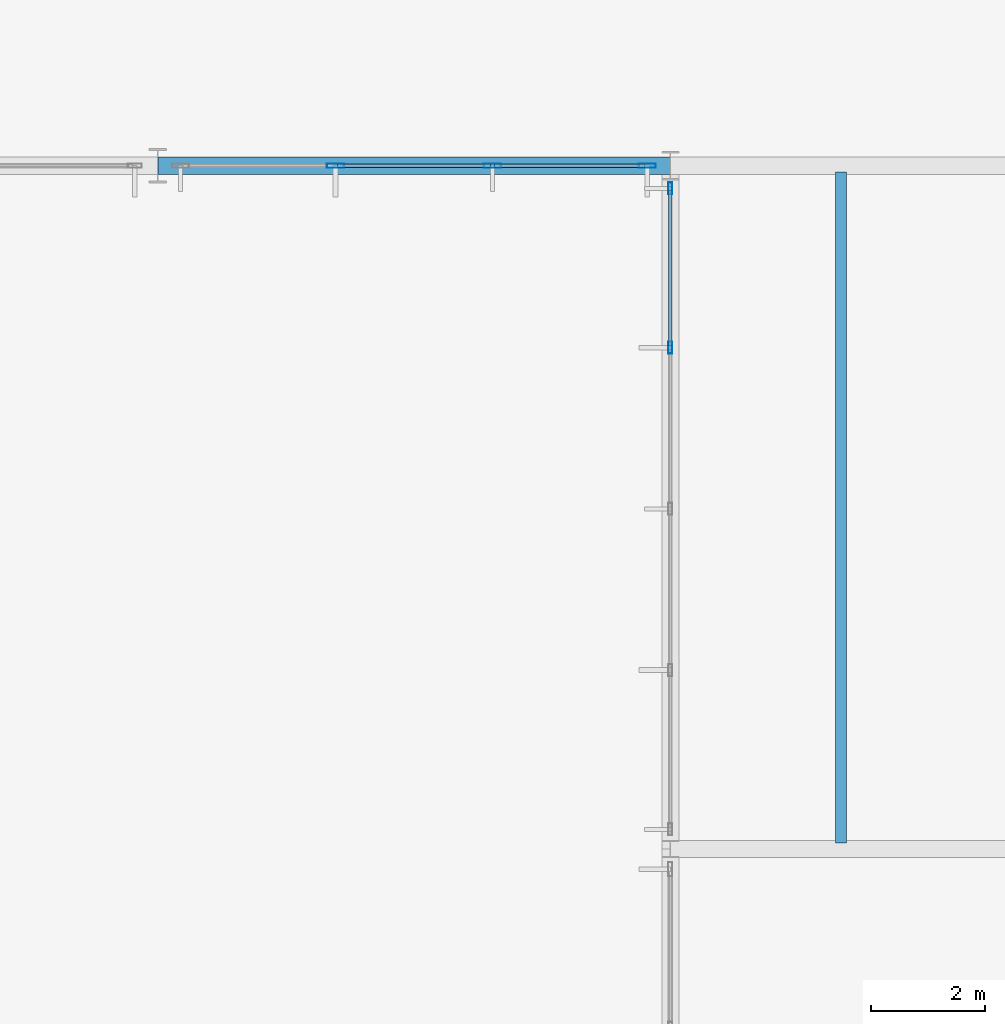
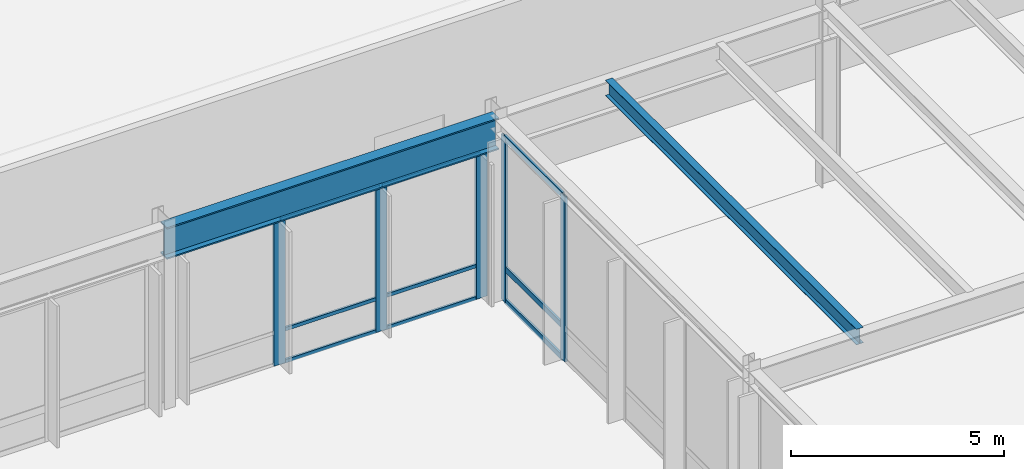
# One storey, part 60 of 143: 14 members, 2 beams, 2 elements without a shape of their own.
"""IFC4 building model written with IfcOpenShell, lengths in metres."""

from ifc_helpers import new_model, si_unit, direction, frame, origin, origin_2d, place, context, subcontext, project, spatial, hollow_rectangle, i_section, extrude, material, layer, layer_set, material_profile, profile_set, type_object, element, aggregate, save


model = new_model("IFC4")

# Units and contexts
model_context = context("Model", 3, precision=1e-05, world=origin(), true_north=direction((0.0, 1.0)))
body_context = subcontext(model_context, "Body", "Model", "MODEL_VIEW")
ifc_project = project(units=[si_unit("LENGTHUNIT", "METRE"), si_unit("AREAUNIT", "SQUARE_METRE"), si_unit("VOLUMEUNIT", "CUBIC_METRE"), si_unit("PLANEANGLEUNIT", "RADIAN"), si_unit("MASSUNIT", "GRAM", prefix="KILO")], contexts=[model_context])

# Site, building, storey
site_placement = place(None, origin())
site = spatial("IfcSite", under=ifc_project, at=site_placement, CompositionType="ELEMENT")
building_placement = place(site_placement, origin())
building = spatial("IfcBuilding", under=site, at=building_placement, Name="Montelvaro Courts of Justice", CompositionType="ELEMENT")
storey_placement = place(building_placement, origin())
storey = spatial("IfcBuildingStorey", under=building, at=storey_placement, Name="L00", CompositionType="ELEMENT", Elevation=0.0)

# Beams
ifc_material_1 = material(Name="Steel S355", Category="steel")
ifc_material_profile_1 = material_profile(ifc_material_1, i_section(OverallWidth=0.302001953125, OverallDepth=0.909912109375, WebThickness=0.02099609375, FlangeThickness=0.0400390625, at=origin_2d()), Name="HEM 900")
ifc_profile_set_1 = profile_set([ifc_material_profile_1], Name="Steel S355")
beam_type_1 = type_object("IfcBeamType", Name="Beam_HEM900", PredefinedType="USERDEFINED", material=ifc_profile_set_1)
beam_1_placement = place(storey_placement, frame((45.0, 78.0, 4.625), z_axis=(1.0, 0.0, 0.0), x_axis=(0.0, 1.0, 0.0)))
element("IfcBeam", 1, at=beam_1_placement, inside=storey, type_object=beam_type_1, Name="Beam B-31 L00", ObjectType="GIRDER", PredefinedType="USERDEFINED", context=body_context, shape_type="SweptSolid", body=[
    extrude(i_section(OverallWidth=0.302001953125, OverallDepth=0.909912109375, WebThickness=0.02099609375, FlangeThickness=0.0400390625, at=origin_2d()), origin(), (0.0, 0.0, 1.0), 9.0),
])
ifc_material_profile_2 = material_profile(ifc_material_1, i_section(OverallWidth=0.18994140625, OverallDepth=0.449951171875, WebThickness=0.009521484375, FlangeThickness=0.0146484375, at=origin_2d()), Name="IPE 450")
ifc_profile_set_2 = profile_set([ifc_material_profile_2], Name="Steel S355")
beam_type_2 = type_object("IfcBeamType", Name="Beam_IPE450", PredefinedType="BEAM", material=ifc_profile_set_2)
beam_2_placement = place(storey_placement, frame((57.0, 66.110107421875, 4.89501953125), z_axis=(0.0, 1.0, 0.0), x_axis=(-1.0, 0.0, 0.0)))
element("IfcBeam", 2, at=beam_2_placement, inside=storey, type_object=beam_type_2, Name="Beam B-09 L00", PredefinedType="BEAM", context=body_context, shape_type="SweptSolid", body=[
    extrude(i_section(OverallWidth=0.18994140625, OverallDepth=0.449951171875, WebThickness=0.009521484375, FlangeThickness=0.0146484375, at=origin_2d()), origin(), (0.0, 0.0, 1.0), 11.77978515625),
])

# Curtain wall, members
ifc_material_2 = material(Name="Anodised aluminium EN AW-6063", Category="aluminium")
ifc_layer_1 = layer(ifc_material_2, 0.159912109375)
ifc_layer_set_1 = layer_set([ifc_layer_1], Name="Anodised aluminium EN AW-6063")
curtain_wall_type_1 = type_object("IfcCurtainWallType", Name="CurtainWall_03_1132x508", PredefinedType="USERDEFINED", material=ifc_layer_set_1)
curtain_wall_1_placement = place(storey_placement, origin())
curtain_wall_1 = element("IfcCurtainWall", 3, at=curtain_wall_1_placement, inside=storey, type_object=curtain_wall_type_1, Name="Curtain Wall CW-03 (L00)", ObjectType="CURTAIN WALL", PredefinedType="USERDEFINED")
ifc_material_profile_3 = material_profile(ifc_material_2, hollow_rectangle(XDim=0.06494140625, YDim=0.2099609375, WallThickness=0.0048828125, at=origin_2d()), Name="ALU-M 65x210")
ifc_profile_set_3 = profile_set([ifc_material_profile_3], Name="Anodised aluminium EN AW-6063")
member_type_1 = type_object("IfcMemberType", Name="CurtainWall_Mullion_65x210", PredefinedType="MULLION", material=ifc_profile_set_3)
member_1_placement = place(storey_placement, frame((54.0, 77.6025390625, 0.0), z_axis=(0.0, 0.0, 1.0), x_axis=(1.0, 0.0, 0.0)))
member_1 = element("IfcMember", 4, at=member_1_placement, type_object=member_type_1, Name="CW-03 mullion 1", PredefinedType="MULLION", context=body_context, shape_type="SweptSolid", body=[
    extrude(hollow_rectangle(XDim=0.06494140625, YDim=0.2099609375, WallThickness=0.0048828125, at=origin_2d()), origin(), (0.0, 0.0, 1.0), 4.72509765625),
])
member_2_placement = place(storey_placement, frame((54.0, 74.804931640625, 0.0), z_axis=(0.0, 0.0, 1.0), x_axis=(1.0, 0.0, 0.0)))
member_2 = element("IfcMember", 5, at=member_2_placement, type_object=member_type_1, Name="CW-03 mullion 2", PredefinedType="MULLION", context=body_context, shape_type="SweptSolid", body=[
    extrude(hollow_rectangle(XDim=0.06494140625, YDim=0.2099609375, WallThickness=0.0048828125, at=origin_2d()), origin(), (0.0, 0.0, 1.0), 4.72509765625),
])

ifc_layer_2 = layer(ifc_material_2, 0.159912109375)
ifc_layer_set_2 = layer_set([ifc_layer_2], Name="Anodised aluminium EN AW-6063")
curtain_wall_type_2 = type_object("IfcCurtainWallType", Name="CurtainWall_01_827x508", PredefinedType="USERDEFINED", material=ifc_layer_set_2)
curtain_wall_2_placement = place(storey_placement, origin())
curtain_wall_2 = element("IfcCurtainWall", 6, at=curtain_wall_2_placement, inside=storey, type_object=curtain_wall_type_2, Name="Curtain Wall CW-01 (L00)", ObjectType="CURTAIN WALL", PredefinedType="USERDEFINED")
ifc_material_profile_4 = material_profile(ifc_material_2, hollow_rectangle(XDim=0.074951171875, YDim=0.300048828125, WallThickness=0.006103515625, at=origin_2d()), Name="ALU-M 75x300")
ifc_profile_set_4 = profile_set([ifc_material_profile_4], Name="Anodised aluminium EN AW-6063")
member_type_2 = type_object("IfcMemberType", Name="CurtainWall_Mullion_75x300", PredefinedType="MULLION", material=ifc_profile_set_4)
member_3_placement = place(storey_placement, frame((48.12158203125, 78.0, 0.0), z_axis=(0.0, 0.0, 1.0), x_axis=(0.0, 1.0, 0.0)))
member_3 = element("IfcMember", 7, at=member_3_placement, type_object=member_type_2, Name="CW-01 mullion 2", PredefinedType="MULLION", context=body_context, shape_type="SweptSolid", body=[
    extrude(hollow_rectangle(XDim=0.074951171875, YDim=0.300048828125, WallThickness=0.006103515625, at=origin_2d()), origin(), (0.0, 0.0, 1.0), 4.1650390625),
])
member_4_placement = place(storey_placement, frame((50.87841796875, 78.0, 0.0), z_axis=(0.0, 0.0, 1.0), x_axis=(0.0, 1.0, 0.0)))
member_4 = element("IfcMember", 8, at=member_4_placement, type_object=member_type_2, Name="CW-01 mullion 3", PredefinedType="MULLION", context=body_context, shape_type="SweptSolid", body=[
    extrude(hollow_rectangle(XDim=0.074951171875, YDim=0.300048828125, WallThickness=0.006103515625, at=origin_2d()), origin(), (0.0, 0.0, 1.0), 4.1650390625),
])
member_5_placement = place(storey_placement, frame((53.597412109375, 78.0, 0.0), z_axis=(0.0, 0.0, 1.0), x_axis=(0.0, 1.0, 0.0)))
member_5 = element("IfcMember", 9, at=member_5_placement, type_object=member_type_2, Name="CW-01 mullion 4", PredefinedType="MULLION", context=body_context, shape_type="SweptSolid", body=[
    extrude(hollow_rectangle(XDim=0.074951171875, YDim=0.300048828125, WallThickness=0.006103515625, at=origin_2d()), origin(), (0.0, 0.0, 1.0), 4.1650390625),
])
ifc_material_profile_5 = material_profile(ifc_material_2, hollow_rectangle(XDim=0.06005859375, YDim=0.10009765625, WallThickness=0.00341796875, at=origin_2d()), Name="ALU-T 60x100")
ifc_profile_set_5 = profile_set([ifc_material_profile_5], Name="Anodised aluminium EN AW-6063")
member_type_3 = type_object("IfcMemberType", Name="CurtainWall_Transom_60x100", PredefinedType="USERDEFINED", material=ifc_profile_set_5)
member_6_placement = place(storey_placement, frame((48.1591796875, 78.0, 0.030029296875), z_axis=(1.0, 0.0, 0.0), x_axis=(0.0, 1.0, 0.0)))
member_6 = element("IfcMember", 10, at=member_6_placement, type_object=member_type_3, Name="CW-01 transom 2.1", ObjectType="TRANSOM", PredefinedType="USERDEFINED", context=body_context, shape_type="SweptSolid", body=[
    extrude(hollow_rectangle(XDim=0.06005859375, YDim=0.10009765625, WallThickness=0.00341796875, at=origin_2d()), origin(), (0.0, 0.0, 1.0), 2.681640625),
])
member_7_placement = place(storey_placement, frame((48.1591796875, 78.0, 0.949951171875), z_axis=(1.0, 0.0, 0.0), x_axis=(0.0, 1.0, 0.0)))
member_7 = element("IfcMember", 11, at=member_7_placement, type_object=member_type_3, Name="CW-01 transom 2.2", ObjectType="TRANSOM", PredefinedType="USERDEFINED", context=body_context, shape_type="SweptSolid", body=[
    extrude(hollow_rectangle(XDim=0.06005859375, YDim=0.10009765625, WallThickness=0.00341796875, at=origin_2d()), origin(), (0.0, 0.0, 1.0), 2.681640625),
])
member_8_placement = place(storey_placement, frame((48.1591796875, 78.0, 4.135009765625), z_axis=(1.0, 0.0, 0.0), x_axis=(0.0, 1.0, 0.0)))
member_8 = element("IfcMember", 12, at=member_8_placement, type_object=member_type_3, Name="CW-01 transom 2.3", ObjectType="TRANSOM", PredefinedType="USERDEFINED", context=body_context, shape_type="SweptSolid", body=[
    extrude(hollow_rectangle(XDim=0.06005859375, YDim=0.10009765625, WallThickness=0.00341796875, at=origin_2d()), origin(), (0.0, 0.0, 1.0), 2.681640625),
])
member_9_placement = place(storey_placement, frame((50.915771484375, 78.0, 0.030029296875), z_axis=(1.0, 0.0, 0.0), x_axis=(0.0, 1.0, 0.0)))
member_9 = element("IfcMember", 13, at=member_9_placement, type_object=member_type_3, Name="CW-01 transom 3.1", ObjectType="TRANSOM", PredefinedType="USERDEFINED", context=body_context, shape_type="SweptSolid", body=[
    extrude(hollow_rectangle(XDim=0.06005859375, YDim=0.10009765625, WallThickness=0.00341796875, at=origin_2d()), origin(), (0.0, 0.0, 1.0), 2.644287109375),
])
member_10_placement = place(storey_placement, frame((50.915771484375, 78.0, 0.949951171875), z_axis=(1.0, 0.0, 0.0), x_axis=(0.0, 1.0, 0.0)))
member_10 = element("IfcMember", 14, at=member_10_placement, type_object=member_type_3, Name="CW-01 transom 3.2", ObjectType="TRANSOM", PredefinedType="USERDEFINED", context=body_context, shape_type="SweptSolid", body=[
    extrude(hollow_rectangle(XDim=0.06005859375, YDim=0.10009765625, WallThickness=0.00341796875, at=origin_2d()), origin(), (0.0, 0.0, 1.0), 2.644287109375),
])
member_11_placement = place(storey_placement, frame((50.915771484375, 78.0, 4.135009765625), z_axis=(1.0, 0.0, 0.0), x_axis=(0.0, 1.0, 0.0)))
member_11 = element("IfcMember", 15, at=member_11_placement, type_object=member_type_3, Name="CW-01 transom 3.3", ObjectType="TRANSOM", PredefinedType="USERDEFINED", context=body_context, shape_type="SweptSolid", body=[
    extrude(hollow_rectangle(XDim=0.06005859375, YDim=0.10009765625, WallThickness=0.00341796875, at=origin_2d()), origin(), (0.0, 0.0, 1.0), 2.644287109375),
])
aggregate(curtain_wall_2, [member_3, member_4, member_5, member_6, member_7, member_8, member_9, member_10, member_11])

# Member
ifc_material_profile_6 = material_profile(ifc_material_2, hollow_rectangle(XDim=0.06005859375, YDim=0.159912109375, WallThickness=0.00439453125, at=origin_2d()), Name="ALU-T 60x160")
ifc_profile_set_6 = profile_set([ifc_material_profile_6], Name="Anodised aluminium EN AW-6063")
member_type_4 = type_object("IfcMemberType", Name="CurtainWall_Transom_60x160", PredefinedType="USERDEFINED", material=ifc_profile_set_6)
member_12_placement = place(storey_placement, frame((54.0, 77.570068359375, 0.030029296875), z_axis=(0.0, -1.0, 0.0), x_axis=(1.0, 0.0, 0.0)))
member_12 = element("IfcMember", 16, at=member_12_placement, type_object=member_type_4, Name="CW-03 transom 1.1", ObjectType="TRANSOM", PredefinedType="USERDEFINED", context=body_context, shape_type="SweptSolid", body=[
    extrude(hollow_rectangle(XDim=0.06005859375, YDim=0.159912109375, WallThickness=0.00439453125, at=origin_2d()), origin(), (0.0, 0.0, 1.0), 2.732666015625),
])

member_13_placement = place(storey_placement, frame((54.0, 77.570068359375, 0.949951171875), z_axis=(0.0, -1.0, 0.0), x_axis=(1.0, 0.0, 0.0)))
member_13 = element("IfcMember", 17, at=member_13_placement, type_object=member_type_4, Name="CW-03 transom 1.2", ObjectType="TRANSOM", PredefinedType="USERDEFINED", context=body_context, shape_type="SweptSolid", body=[
    extrude(hollow_rectangle(XDim=0.06005859375, YDim=0.159912109375, WallThickness=0.00439453125, at=origin_2d()), origin(), (0.0, 0.0, 1.0), 2.732666015625),
])

member_14_placement = place(storey_placement, frame((54.0, 77.570068359375, 4.695068359375), z_axis=(0.0, -1.0, 0.0), x_axis=(1.0, 0.0, 0.0)))
member_14 = element("IfcMember", 18, at=member_14_placement, type_object=member_type_4, Name="CW-03 transom 1.3", ObjectType="TRANSOM", PredefinedType="USERDEFINED", context=body_context, shape_type="SweptSolid", body=[
    extrude(hollow_rectangle(XDim=0.06005859375, YDim=0.159912109375, WallThickness=0.00439453125, at=origin_2d()), origin(), (0.0, 0.0, 1.0), 2.732666015625),
])

aggregate(curtain_wall_1, [member_1, member_2, member_12, member_13, member_14])

save(model, "model.ifc")
